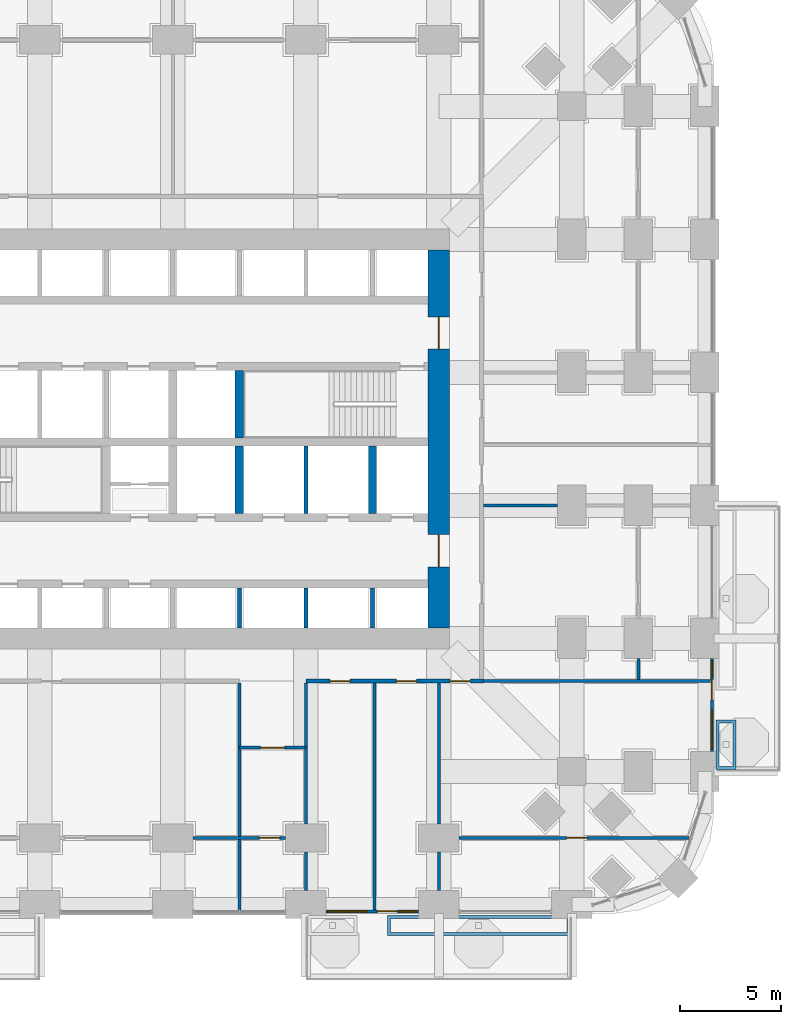
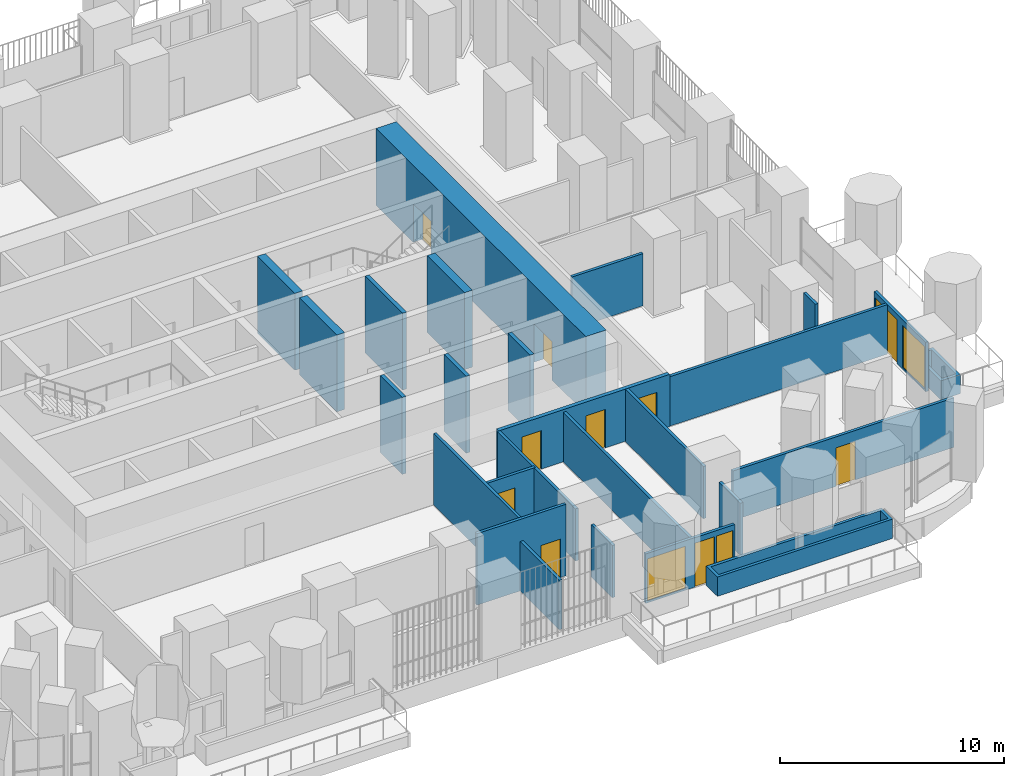
# One storey, part 18 of 25: 26 walls, 10 doors, 4 windows, 14 openings.
"""IFC4 building model written with IfcOpenShell, lengths in metres."""

from ifc_helpers import new_model, si_unit, direction, frame, frame_2d, origin, place, context, subcontext, project, spatial, polyline, rectangle, outline, extrude, material, layer, layer_set, type_object, element, fill, save


model = new_model("IFC4")

# Units and contexts
model_context = context("Model", 3, precision=1e-05, world=origin(), true_north=direction((0.0, 1.0)))
body_context = subcontext(model_context, "Body", "Model", "MODEL_VIEW")
ifc_project = project(units=[si_unit("LENGTHUNIT", "METRE"), si_unit("AREAUNIT", "SQUARE_METRE"), si_unit("VOLUMEUNIT", "CUBIC_METRE"), si_unit("PLANEANGLEUNIT", "RADIAN"), si_unit("MASSUNIT", "GRAM", prefix="KILO")], contexts=[model_context])

# Site, building, storey
site_placement = place(None, origin())
site = spatial("IfcSite", under=ifc_project, at=site_placement, CompositionType="ELEMENT")
building_placement = place(site_placement, origin())
building = spatial("IfcBuilding", under=site, at=building_placement, Name="Cobogo Forest Laboratory Tower", CompositionType="ELEMENT")
storey_placement = place(building_placement, frame((0.0, 0.0, 21.300048828125)))
storey = spatial("IfcBuildingStorey", under=building, at=storey_placement, Name="L04", CompositionType="ELEMENT", Elevation=21.300048828125)

# Walls
ifc_material_1 = material(Name="Concrete HA-50 (C50/60)", Category="concrete")
ifc_layer_1 = layer(ifc_material_1, 0.39990234375)
ifc_layer_set_1 = layer_set([ifc_layer_1], Name="CI400 core inner wall 400")
wall_type_1 = type_object("IfcWallType", Name="CI400 core inner wall 400", PredefinedType="SHEAR", material=ifc_layer_set_1)
for number, where, z_axis, x_axis, name in (
    (1, (29.699951171875, 19.39990234375, 0.0), (0.0, 0.0, 1.0), (0.0, 1.0, 0.0), "Core wall CX-29.7S L04"),
    (2, (36.300048828125, 19.39990234375, 0.0), (0.0, 0.0, 1.0), (0.0, 1.0, 0.0), "Core wall CX-36.3 L04"),
    (3, (29.699951171875, 23.14990234375, 0.0), (0.0, 0.0, 1.0), (0.0, 1.0, 0.0), "Core wall CX-29.7N L04"),
):
    element("IfcWall", number, at=place(storey_placement, frame(where, z_axis=z_axis, x_axis=x_axis)), inside=storey, type_object=wall_type_1, Name=name, PredefinedType="SHEAR", context=body_context, shape_type="SweptSolid", body=[
        extrude(rectangle(XDim=3.35009765625, YDim=0.39990234375, at=frame_2d((1.675048828125, 0.0))), origin(), (0.0, 0.0, 1.0), 4.199951171875),
    ])

# Wall, openings, doors
ifc_layer_2 = layer(ifc_material_1, 1.050048828125)
ifc_layer_set_2 = layer_set([ifc_layer_2], Name="CW1050 core outer wall 1050")
wall_type_2 = type_object("IfcWallType", Name="CW1050 core outer wall 1050", PredefinedType="SHEAR", material=ifc_layer_set_2)
wall_1_placement = place(storey_placement, frame((39.60009765625, 13.72509765625, 0.0), z_axis=(0.0, 0.0, 1.0), x_axis=(0.0, 1.0, 0.0)))
wall_1 = element("IfcWall", 4, at=wall_1_placement, inside=storey, type_object=wall_type_2, Name="Core wall CO-E L04", PredefinedType="SHEAR", context=body_context, shape_type="SweptSolid", body=[
    extrude(rectangle(XDim=18.75, YDim=1.050048828125, at=frame_2d((9.375, 0.0))), origin(), (0.0, 0.0, 1.0), 4.199951171875),
])
opening_1_placement = place(wall_1_placement, frame((3.02490234375, 0.0, 0.0)))
opening_1 = element("IfcOpeningElement", 5, at=opening_1_placement, cuts=wall_1, Name="Opening L04-D20", PredefinedType="OPENING", context=body_context, shape_type="SweptSolid", body=[
    extrude(rectangle(XDim=1.60009765625, YDim=2.10009765625, at=frame_2d((0.800048828125, 1.050048828125))), frame((0.0, 0.534912109375, 0.0), z_axis=(0.0, -1.0, 0.0), x_axis=(1.0, 0.0, 0.0)), (0.0, 0.0, 1.0), 1.070068359375),
])
opening_2_placement = place(wall_1_placement, frame((13.824951171875, 0.0, 0.0)))
opening_2 = element("IfcOpeningElement", 6, at=opening_2_placement, cuts=wall_1, Name="Opening L04-D33", PredefinedType="OPENING", context=body_context, shape_type="SweptSolid", body=[
    extrude(rectangle(XDim=1.60009765625, YDim=2.10009765625, at=frame_2d((0.800048828125, 1.050048828125))), frame((0.0, 0.534912109375, 0.0), z_axis=(0.0, -1.0, 0.0), x_axis=(1.0, 0.0, 0.0)), (0.0, 0.0, 1.0), 1.070068359375),
])
ifc_material_2 = material(Name="Steel fire door", Category="steel")
door_type_1 = type_object("IfcDoorType", Name="DS2 protected lobby door pair 1600 EI2 60", OperationType="DOUBLE_DOOR_DOUBLE_SWING", PredefinedType="DOOR", material=ifc_material_2)
door_1_placement = place(opening_1_placement, origin())
door_1 = element("IfcDoor", 7, at=door_1_placement, inside=storey, type_object=door_type_1, Name="Door L04-CO-E-S", OperationType="DOUBLE_DOOR_DOUBLE_SWING", OverallHeight=2.10009765625, OverallWidth=1.60009765625, PredefinedType="DOOR", context=body_context, shape_type="SweptSolid", body=[
    extrude(rectangle(XDim=1.60009765625, YDim=2.10009765625, at=frame_2d((0.800048828125, 1.050048828125))), frame((0.0, 0.02490234375, 0.0), z_axis=(0.0, -1.0, 0.0), x_axis=(1.0, 0.0, 0.0)), (0.0, 0.0, 1.0), 0.050048828125),
])
fill(opening_1, door_1)
door_2_placement = place(opening_2_placement, origin())
door_2 = element("IfcDoor", 8, at=door_2_placement, inside=storey, type_object=door_type_1, Name="Door L04-CO-E-N", OperationType="DOUBLE_DOOR_DOUBLE_SWING", OverallHeight=2.10009765625, OverallWidth=1.60009765625, PredefinedType="DOOR", context=body_context, shape_type="SweptSolid", body=[
    extrude(rectangle(XDim=1.60009765625, YDim=2.10009765625, at=frame_2d((0.800048828125, 1.050048828125))), frame((0.0, 0.02490234375, 0.0), z_axis=(0.0, -1.0, 0.0), x_axis=(1.0, 0.0, 0.0)), (0.0, 0.0, 1.0), 0.050048828125),
])
fill(opening_2, door_2)

# Wall, openings, door, windows
ifc_material_3 = material(Name="Aluminium framed glazed screen", Category="aluminium")
ifc_layer_3 = layer(ifc_material_3, 0.14990234375)
ifc_layer_set_3 = layer_set([ifc_layer_3], Name="GS1 glazed door screen 150")
wall_type_3 = type_object("IfcWallType", Name="GS1 glazed door screen 150", PredefinedType="SOLIDWALL", material=ifc_layer_set_3)
wall_2_placement = place(storey_placement, frame((34.0, -0.35009765625, 0.0), z_axis=(0.0, 0.0, 1.0), x_axis=(1.0, 0.0, 0.0)))
wall_2 = element("IfcWall", 9, at=wall_2_placement, inside=storey, type_object=wall_type_3, Name="Door screen BAL-S2 L04", PredefinedType="SOLIDWALL", context=body_context, shape_type="SweptSolid", body=[
    extrude(rectangle(XDim=4.60009765625, YDim=0.14990234375, at=frame_2d((2.300048828125, 0.0))), origin(), (0.0, 0.0, 1.0), 2.699951171875),
])
opening_3_placement = place(wall_2_placement, frame((2.550048828125, 0.0, 0.0)))
opening_3 = element("IfcOpeningElement", 10, at=opening_3_placement, cuts=wall_2, Name="Opening L04-D02", PredefinedType="OPENING", context=body_context, shape_type="SweptSolid", body=[
    extrude(rectangle(XDim=1.0, YDim=2.39990234375, at=frame_2d((0.5, 1.199951171875))), frame((0.0, 0.0849609375, 0.0), z_axis=(0.0, -1.0, 0.0), x_axis=(1.0, 0.0, 0.0)), (0.0, 0.0, 1.0), 0.169921875),
])
opening_4_placement = place(wall_2_placement, frame((0.10009765625, 0.0, 0.10009765625)))
opening_4 = element("IfcOpeningElement", 11, at=opening_4_placement, cuts=wall_2, Name="Opening L04-W03", PredefinedType="OPENING", context=body_context, shape_type="SweptSolid", body=[
    extrude(rectangle(XDim=1.949951171875, YDim=2.300048828125, at=frame_2d((0.97509765625, 1.14990234375))), frame((0.0, 0.0849609375, 0.0), z_axis=(0.0, -1.0, 0.0), x_axis=(1.0, 0.0, 0.0)), (0.0, 0.0, 1.0), 0.169921875),
])
opening_5_placement = place(wall_2_placement, frame((3.64990234375, 0.0, 0.10009765625)))
opening_5 = element("IfcOpeningElement", 12, at=opening_5_placement, cuts=wall_2, Name="Opening L04-W04", PredefinedType="OPENING", context=body_context, shape_type="SweptSolid", body=[
    extrude(rectangle(XDim=0.85009765625, YDim=2.300048828125, at=frame_2d((0.425048828125, 1.14990234375))), frame((0.0, 0.0849609375, 0.0), z_axis=(0.0, -1.0, 0.0), x_axis=(1.0, 0.0, 0.0)), (0.0, 0.0, 1.0), 0.169921875),
])
ifc_material_4 = material(Name="Aluminium glazed door", Category="aluminium")
door_type_2 = type_object("IfcDoorType", Name="DB1 balcony door 1000 glazed", OperationType="SINGLE_SWING_LEFT", PredefinedType="DOOR", material=ifc_material_4)
door_3_placement = place(opening_3_placement, origin())
door_3 = element("IfcDoor", 13, at=door_3_placement, inside=storey, type_object=door_type_2, Name="Door L04-BAL-S2", OperationType="SINGLE_SWING_RIGHT", OverallHeight=2.39990234375, OverallWidth=1.0, PredefinedType="DOOR", context=body_context, shape_type="SweptSolid", body=[
    extrude(rectangle(XDim=1.0, YDim=2.39990234375, at=frame_2d((0.5, 1.199951171875))), frame((0.0, 0.02490234375, 0.0), z_axis=(0.0, -1.0, 0.0), x_axis=(1.0, 0.0, 0.0)), (0.0, 0.0, 1.0), 0.050048828125),
])
fill(opening_3, door_3)
ifc_material_5 = material(Name="Aluminium framed glazing", Category="aluminium")
window_type_1 = type_object("IfcWindowType", Name="WG1 fixed glazed light 1950x2300", PartitioningType="SINGLE_PANEL", PredefinedType="WINDOW", material=ifc_material_5)
window_1_placement = place(opening_4_placement, origin())
window_1 = element("IfcWindow", 14, at=window_1_placement, inside=storey, type_object=window_type_1, Name="Window L04-BAL-S2-1", OverallHeight=2.300048828125, OverallWidth=1.949951171875, PartitioningType="SINGLE_PANEL", PredefinedType="WINDOW", context=body_context, shape_type="SweptSolid", body=[
    extrude(rectangle(XDim=1.949951171875, YDim=2.300048828125, at=frame_2d((0.97509765625, 1.14990234375))), frame((0.0, 0.030029296875, 0.0), z_axis=(0.0, -1.0, 0.0), x_axis=(1.0, 0.0, 0.0)), (0.0, 0.0, 1.0), 0.06005859375),
])
fill(opening_4, window_1)
window_type_2 = type_object("IfcWindowType", Name="WG2 fixed glazed light 850x2300", PartitioningType="SINGLE_PANEL", PredefinedType="WINDOW", material=ifc_material_5)
window_2_placement = place(opening_5_placement, origin())
window_2 = element("IfcWindow", 15, at=window_2_placement, inside=storey, type_object=window_type_2, Name="Window L04-BAL-S2-2", OverallHeight=2.300048828125, OverallWidth=0.85009765625, PartitioningType="SINGLE_PANEL", PredefinedType="WINDOW", context=body_context, shape_type="SweptSolid", body=[
    extrude(rectangle(XDim=0.85009765625, YDim=2.300048828125, at=frame_2d((0.425048828125, 1.14990234375))), frame((0.0, 0.030029296875, 0.0), z_axis=(0.0, -1.0, 0.0), x_axis=(1.0, 0.0, 0.0)), (0.0, 0.0, 1.0), 0.06005859375),
])
fill(opening_5, window_2)

wall_3_placement = place(storey_placement, frame((53.14990234375, 7.60009765625, 0.0), z_axis=(0.0, 0.0, 1.0), x_axis=(0.0, 1.0, 0.0)))
wall_3 = element("IfcWall", 16, at=wall_3_placement, inside=storey, type_object=wall_type_3, Name="Door screen BAL-E1 L04", PredefinedType="SOLIDWALL", context=body_context, shape_type="SweptSolid", body=[
    extrude(rectangle(XDim=4.599853515625, YDim=0.14990234375, at=frame_2d((2.2998046875, 0.0))), origin(), (0.0, 0.0, 1.0), 2.699951171875),
])
opening_6_placement = place(wall_3_placement, frame((2.550048828125, 0.0, 0.0)))
opening_6 = element("IfcOpeningElement", 17, at=opening_6_placement, cuts=wall_3, Name="Opening L04-D09", PredefinedType="OPENING", context=body_context, shape_type="SweptSolid", body=[
    extrude(rectangle(XDim=1.0, YDim=2.39990234375, at=frame_2d((0.5, 1.199951171875))), frame((0.0, 0.0849609375, 0.0), z_axis=(0.0, -1.0, 0.0), x_axis=(1.0, 0.0, 0.0)), (0.0, 0.0, 1.0), 0.169921875),
])
opening_7_placement = place(wall_3_placement, frame((0.10009765625, 0.0, 0.10009765625)))
opening_7 = element("IfcOpeningElement", 18, at=opening_7_placement, cuts=wall_3, Name="Opening L04-W06", PredefinedType="OPENING", context=body_context, shape_type="SweptSolid", body=[
    extrude(rectangle(XDim=1.949951171875, YDim=2.300048828125, at=frame_2d((0.97509765625, 1.14990234375))), frame((0.0, 0.0849609375, 0.0), z_axis=(0.0, -1.0, 0.0), x_axis=(1.0, 0.0, 0.0)), (0.0, 0.0, 1.0), 0.169921875),
])
opening_8_placement = place(wall_3_placement, frame((3.64990234375, 0.0, 0.10009765625)))
opening_8 = element("IfcOpeningElement", 19, at=opening_8_placement, cuts=wall_3, Name="Opening L04-W08", PredefinedType="OPENING", context=body_context, shape_type="SweptSolid", body=[
    extrude(rectangle(XDim=0.85009765625, YDim=2.300048828125, at=frame_2d((0.425048828125, 1.14990234375))), frame((0.0, 0.0849609375, 0.0), z_axis=(0.0, -1.0, 0.0), x_axis=(1.0, 0.0, 0.0)), (0.0, 0.0, 1.0), 0.169921875),
])
door_4_placement = place(opening_6_placement, origin())
door_4 = element("IfcDoor", 20, at=door_4_placement, inside=storey, type_object=door_type_2, Name="Door L04-BAL-E1", OperationType="SINGLE_SWING_RIGHT", OverallHeight=2.39990234375, OverallWidth=1.0, PredefinedType="DOOR", context=body_context, shape_type="SweptSolid", body=[
    extrude(rectangle(XDim=1.0, YDim=2.39990234375, at=frame_2d((0.5, 1.199951171875))), frame((0.0, 0.02490234375, 0.0), z_axis=(0.0, -1.0, 0.0), x_axis=(1.0, 0.0, 0.0)), (0.0, 0.0, 1.0), 0.050048828125),
])
fill(opening_6, door_4)
window_3_placement = place(opening_7_placement, origin())
window_3 = element("IfcWindow", 21, at=window_3_placement, inside=storey, type_object=window_type_1, Name="Window L04-BAL-E1-1", OverallHeight=2.300048828125, OverallWidth=1.949951171875, PartitioningType="SINGLE_PANEL", PredefinedType="WINDOW", context=body_context, shape_type="SweptSolid", body=[
    extrude(rectangle(XDim=1.949951171875, YDim=2.300048828125, at=frame_2d((0.97509765625, 1.14990234375))), frame((0.0, 0.030029296875, 0.0), z_axis=(0.0, -1.0, 0.0), x_axis=(1.0, 0.0, 0.0)), (0.0, 0.0, 1.0), 0.06005859375),
])
fill(opening_7, window_3)
window_4_placement = place(opening_8_placement, origin())
window_4 = element("IfcWindow", 22, at=window_4_placement, inside=storey, type_object=window_type_2, Name="Window L04-BAL-E1-2", OverallHeight=2.300048828125, OverallWidth=0.85009765625, PartitioningType="SINGLE_PANEL", PredefinedType="WINDOW", context=body_context, shape_type="SweptSolid", body=[
    extrude(rectangle(XDim=0.85009765625, YDim=2.300048828125, at=frame_2d((0.425048828125, 1.14990234375))), frame((0.0, 0.030029296875, 0.0), z_axis=(0.0, -1.0, 0.0), x_axis=(1.0, 0.0, 0.0)), (0.0, 0.0, 1.0), 0.06005859375),
])
fill(opening_8, window_4)

# Wall
ifc_material_6 = material(Name="Gypsum board on steel studs", Category="steel")
ifc_layer_4 = layer(ifc_material_6, 0.14990234375)
ifc_layer_set_4 = layer_set([ifc_layer_4], Name="PT1 laboratory partition 150")
wall_type_4 = type_object("IfcWallType", Name="PT1 laboratory partition 150", PredefinedType="PARTITIONING", material=ifc_layer_set_4)
wall_4_placement = place(storey_placement, frame((53.070068359375, 11.074951171875, 0.0), z_axis=(0.0, 0.0, 1.0), x_axis=(-1.0, 0.0, 0.0)))
element("IfcWall", 23, at=wall_4_placement, inside=storey, type_object=wall_type_4, Name="Partition PW-SE L04", PredefinedType="PARTITIONING", context=body_context, shape_type="SweptSolid", body=[
    extrude(rectangle(XDim=11.2451171875, YDim=0.14990234375, at=frame_2d((5.62255859375, 0.0))), origin(), (0.0, 0.0, 1.0), 2.699951171875),
])

# Wall, opening, door
wall_5_placement = place(storey_placement, frame((27.39990234375, 3.300048828125, 0.0), z_axis=(0.0, 0.0, 1.0), x_axis=(1.0, 0.0, 0.0)))
wall_5 = element("IfcWall", 24, at=wall_5_placement, inside=storey, type_object=wall_type_4, Name="Partition STRIP-S-4 L04", PredefinedType="PARTITIONING", context=body_context, shape_type="SweptSolid", body=[
    extrude(rectangle(XDim=4.60009765625, YDim=0.14990234375, at=frame_2d((2.300048828125, 0.0))), origin(), (0.0, 0.0, 1.0), 3.89990234375),
])
opening_9_placement = place(wall_5_placement, frame((3.300048828125, 0.0, 0.0)))
opening_9 = element("IfcOpeningElement", 25, at=opening_9_placement, cuts=wall_5, Name="Opening L04-D04", PredefinedType="OPENING", context=body_context, shape_type="SweptSolid", body=[
    extrude(rectangle(XDim=1.0, YDim=2.10009765625, at=frame_2d((0.5, 1.050048828125))), frame((0.0, 0.0849609375, 0.0), z_axis=(0.0, -1.0, 0.0), x_axis=(1.0, 0.0, 0.0)), (0.0, 0.0, 1.0), 0.169921875),
])
ifc_material_7 = material(Name="Timber fire door", Category="wood")
door_type_3 = type_object("IfcDoorType", Name="FD2 fire door 1000 EI2 30", OperationType="SINGLE_SWING_LEFT", PredefinedType="DOOR", material=ifc_material_7)
door_5_placement = place(opening_9_placement, origin())
door_5 = element("IfcDoor", 26, at=door_5_placement, inside=storey, type_object=door_type_3, Name="Door L04-S2W", OperationType="SINGLE_SWING_RIGHT", OverallHeight=2.10009765625, OverallWidth=1.0, PredefinedType="DOOR", context=body_context, shape_type="SweptSolid", body=[
    extrude(rectangle(XDim=1.0, YDim=2.10009765625, at=frame_2d((0.5, 1.050048828125))), frame((0.0, 0.02490234375, 0.0), z_axis=(0.0, -1.0, 0.0), x_axis=(1.0, 0.0, 0.0)), (0.0, 0.0, 1.0), 0.050048828125),
])
fill(opening_9, door_5)

wall_6_placement = place(storey_placement, frame((40.60009765625, 3.300048828125, 0.0), z_axis=(0.0, 0.0, 1.0), x_axis=(1.0, 0.0, 0.0)))
wall_6 = element("IfcWall", 27, at=wall_6_placement, inside=storey, type_object=wall_type_4, Name="Partition STRIP-S-5 L04", PredefinedType="PARTITIONING", context=body_context, shape_type="SweptSolid", body=[
    extrude(rectangle(XDim=11.423828125, YDim=0.14990234375, at=frame_2d((5.7119140625, 0.0))), origin(), (0.0, 0.0, 1.0), 2.699951171875),
])
opening_10_placement = place(wall_6_placement, frame((5.342041015625, 0.0, 0.0)))
opening_10 = element("IfcOpeningElement", 28, at=opening_10_placement, cuts=wall_6, Name="Opening L04-D05", PredefinedType="OPENING", context=body_context, shape_type="SweptSolid", body=[
    extrude(rectangle(XDim=1.0, YDim=2.10009765625, at=frame_2d((0.5, 1.050048828125))), frame((0.0, 0.0849609375, 0.0), z_axis=(0.0, -1.0, 0.0), x_axis=(1.0, 0.0, 0.0)), (0.0, 0.0, 1.0), 0.169921875),
])
door_6_placement = place(opening_10_placement, origin())
door_6 = element("IfcDoor", 29, at=door_6_placement, inside=storey, type_object=door_type_3, Name="Door L04-S3W", OperationType="SINGLE_SWING_RIGHT", OverallHeight=2.10009765625, OverallWidth=1.0, PredefinedType="DOOR", context=body_context, shape_type="SweptSolid", body=[
    extrude(rectangle(XDim=1.0, YDim=2.10009765625, at=frame_2d((0.5, 1.050048828125))), frame((0.0, 0.02490234375, 0.0), z_axis=(0.0, -1.0, 0.0), x_axis=(1.0, 0.0, 0.0)), (0.0, 0.0, 1.0), 0.050048828125),
])
fill(opening_10, door_6)

wall_7_placement = place(storey_placement, frame((29.699951171875, 7.77490234375, 0.0), z_axis=(0.0, 0.0, 1.0), x_axis=(1.0, 0.0, 0.0)))
wall_7 = element("IfcWall", 30, at=wall_7_placement, inside=storey, type_object=wall_type_4, Name="Partition NODE-S-1 L04", PredefinedType="PARTITIONING", context=body_context, shape_type="SweptSolid", body=[
    extrude(rectangle(XDim=3.300048828125, YDim=0.14990234375, at=frame_2d((1.64990234375, 0.0))), origin(), (0.0, 0.0, 1.0), 2.849853515625),
])
opening_11_placement = place(wall_7_placement, frame((1.050048828125, 0.0, 0.0)))
opening_11 = element("IfcOpeningElement", 31, at=opening_11_placement, cuts=wall_7, Name="Opening L04-D06", PredefinedType="OPENING", context=body_context, shape_type="SweptSolid", body=[
    extrude(rectangle(XDim=1.199951171875, YDim=2.10009765625, at=frame_2d((0.60009765625, 1.050048828125))), frame((0.0, 0.0849609375, 0.0), z_axis=(0.0, -1.0, 0.0), x_axis=(1.0, 0.0, 0.0)), (0.0, 0.0, 1.0), 0.169921875),
])
ifc_material_8 = material(Name="Timber door", Category="wood")
door_type_4 = type_object("IfcDoorType", Name="D2 laboratory door 1200 unequal pair", OperationType="DOUBLE_DOOR_SINGLE_SWING", PredefinedType="DOOR", material=ifc_material_8)
door_7_placement = place(opening_11_placement, origin())
door_7 = element("IfcDoor", 32, at=door_7_placement, inside=storey, type_object=door_type_4, Name="Door L04-S2", OperationType="DOUBLE_DOOR_SINGLE_SWING", OverallHeight=2.10009765625, OverallWidth=1.199951171875, PredefinedType="DOOR", context=body_context, shape_type="SweptSolid", body=[
    extrude(rectangle(XDim=1.199951171875, YDim=2.10009765625, at=frame_2d((0.60009765625, 1.050048828125))), frame((0.0, 0.02490234375, 0.0), z_axis=(0.0, -1.0, 0.0), x_axis=(1.0, 0.0, 0.0)), (0.0, 0.0, 1.0), 0.050048828125),
])
fill(opening_11, door_7)

# Walls
wall_8_placement = place(storey_placement, frame((36.39990234375, -0.27001953125, 0.0), z_axis=(0.0, 0.0, 1.0), x_axis=(0.0, 1.0, 0.0)))
element("IfcWall", 33, at=wall_8_placement, inside=storey, type_object=wall_type_4, Name="Partition SVC-S1-1 L04", PredefinedType="PARTITIONING", context=body_context, shape_type="SweptSolid", body=[
    extrude(rectangle(XDim=11.2451171875, YDim=0.14990234375, at=frame_2d((5.62255859375, 0.0))), origin(), (0.0, 0.0, 1.0), 2.699951171875),
])
wall_9_placement = place(storey_placement, frame((39.60009765625, 0.699951171875, 0.0), z_axis=(0.0, 0.0, 1.0), x_axis=(0.0, 1.0, 0.0)))
element("IfcWall", 34, at=wall_9_placement, inside=storey, type_object=wall_type_4, Name="Partition SVC-S2-1 L04", PredefinedType="PARTITIONING", context=body_context, shape_type="SweptSolid", body=[
    extrude(rectangle(XDim=1.900146484375, YDim=0.14990234375, at=frame_2d((0.9501953125, 0.0))), origin(), (0.0, 0.0, 1.0), 2.849853515625),
])
wall_10_placement = place(storey_placement, frame((39.60009765625, 4.0, 0.0), z_axis=(0.0, 0.0, 1.0), x_axis=(0.0, 1.0, 0.0)))
element("IfcWall", 35, at=wall_10_placement, inside=storey, type_object=wall_type_4, Name="Partition SVC-S2-2 L04", PredefinedType="PARTITIONING", context=body_context, shape_type="SweptSolid", body=[
    extrude(rectangle(XDim=6.97509765625, YDim=0.14990234375, at=frame_2d((3.487548828125, 0.0))), origin(), (0.0, 0.0, 1.0), 2.849853515625),
])
wall_11_placement = place(storey_placement, frame((29.699951171875, -0.27001953125, 0.0), z_axis=(0.0, 0.0, 1.0), x_axis=(0.0, 1.0, 0.0)))
element("IfcWall", 36, at=wall_11_placement, inside=storey, type_object=wall_type_4, Name="Partition CUT-S29.7a-1 L04", PredefinedType="PARTITIONING", context=body_context, shape_type="SweptSolid", body=[
    extrude(rectangle(XDim=3.4951171875, YDim=0.14990234375, at=frame_2d((1.74755859375, 0.0))), origin(), (0.0, 0.0, 1.0), 2.699951171875),
])
wall_12_placement = place(storey_placement, frame((29.699951171875, 3.375, 0.0), z_axis=(0.0, 0.0, 1.0), x_axis=(0.0, 1.0, 0.0)))
element("IfcWall", 37, at=wall_12_placement, inside=storey, type_object=wall_type_4, Name="Partition CUT-S29.7b-1 L04", PredefinedType="PARTITIONING", context=body_context, shape_type="SweptSolid", body=[
    extrude(rectangle(XDim=7.60009765625, YDim=0.14990234375, at=frame_2d((3.800048828125, 0.0))), origin(), (0.0, 0.0, 1.0), 3.89990234375),
])
wall_13_placement = place(storey_placement, frame((33.0, 0.699951171875, 0.0), z_axis=(0.0, 0.0, 1.0), x_axis=(0.0, 1.0, 0.0)))
element("IfcWall", 38, at=wall_13_placement, inside=storey, type_object=wall_type_4, Name="Partition CUT-S33-1 L04", PredefinedType="PARTITIONING", context=body_context, shape_type="SweptSolid", body=[
    extrude(rectangle(XDim=1.900146484375, YDim=0.14990234375, at=frame_2d((0.9501953125, 0.0))), origin(), (0.0, 0.0, 1.0), 2.849853515625),
])
wall_14_placement = place(storey_placement, frame((33.0, 4.0, 0.0), z_axis=(0.0, 0.0, 1.0), x_axis=(0.0, 1.0, 0.0)))
element("IfcWall", 39, at=wall_14_placement, inside=storey, type_object=wall_type_4, Name="Partition CUT-S33-2 L04", PredefinedType="PARTITIONING", context=body_context, shape_type="SweptSolid", body=[
    extrude(rectangle(XDim=6.97509765625, YDim=0.14990234375, at=frame_2d((3.487548828125, 0.0))), origin(), (0.0, 0.0, 1.0), 2.849853515625),
])
wall_15_placement = place(storey_placement, frame((49.5, 11.14990234375, 0.0), z_axis=(0.0, 0.0, 1.0), x_axis=(0.0, 1.0, 0.0)))
element("IfcWall", 40, at=wall_15_placement, inside=storey, type_object=wall_type_4, Name="Partition STRIP-E-1 L04", PredefinedType="PARTITIONING", context=body_context, shape_type="SweptSolid", body=[
    extrude(rectangle(XDim=1.050048828125, YDim=0.14990234375, at=frame_2d((0.52490234375, 0.0))), origin(), (0.0, 0.0, 1.0), 3.89990234375),
])
wall_16_placement = place(storey_placement, frame((45.5, 19.800048828125, 0.0), z_axis=(0.0, 0.0, 1.0), x_axis=(-1.0, 0.0, 0.0)))
element("IfcWall", 41, at=wall_16_placement, inside=storey, type_object=wall_type_4, Name="Partition CUT-E19.8-3 L04", PredefinedType="PARTITIONING", context=body_context, shape_type="SweptSolid", body=[
    extrude(rectangle(XDim=3.675048828125, YDim=0.14990234375, at=frame_2d((1.83740234375, 0.0))), origin(), (0.0, 0.0, 1.0), 2.849853515625),
])

# Wall, openings, doors
ifc_layer_5 = layer(ifc_material_6, 0.199951171875)
ifc_layer_set_5 = layer_set([ifc_layer_5], Name="PT2 fire-rated corridor partition 200")
wall_type_5 = type_object("IfcWallType", Name="PT2 fire-rated corridor partition 200", PredefinedType="PARTITIONING", material=ifc_layer_set_5)
wall_17_placement = place(storey_placement, frame((33.0, 11.074951171875, 0.0), z_axis=(0.0, 0.0, 1.0), x_axis=(1.0, 0.0, 0.0)))
wall_17 = element("IfcWall", 42, at=wall_17_placement, inside=storey, type_object=wall_type_5, Name="Partition CORR-S-2 L04", PredefinedType="PARTITIONING", context=body_context, shape_type="SweptSolid", body=[
    extrude(rectangle(XDim=8.824951171875, YDim=0.199951171875, at=frame_2d((4.41259765625, 0.0))), origin(), (0.0, 0.0, 1.0), 2.849853515625),
])
opening_12_placement = place(wall_17_placement, frame((1.199951171875, 0.0, 0.0)))
opening_12 = element("IfcOpeningElement", 43, at=opening_12_placement, cuts=wall_17, Name="Opening L04-D11", PredefinedType="OPENING", context=body_context, shape_type="SweptSolid", body=[
    extrude(rectangle(XDim=1.0, YDim=2.10009765625, at=frame_2d((0.5, 1.050048828125))), frame((0.0, 0.10986328125, 0.0), z_axis=(0.0, -1.0, 0.0), x_axis=(1.0, 0.0, 0.0)), (0.0, 0.0, 1.0), 0.219970703125),
])
opening_13_placement = place(wall_17_placement, frame((4.5, 0.0, 0.0)))
opening_13 = element("IfcOpeningElement", 44, at=opening_13_placement, cuts=wall_17, Name="Opening L04-D12", PredefinedType="OPENING", context=body_context, shape_type="SweptSolid", body=[
    extrude(rectangle(XDim=1.0, YDim=2.10009765625, at=frame_2d((0.5, 1.050048828125))), frame((0.0, 0.10986328125, 0.0), z_axis=(0.0, -1.0, 0.0), x_axis=(1.0, 0.0, 0.0)), (0.0, 0.0, 1.0), 0.219970703125),
])
opening_14_placement = place(wall_17_placement, frame((7.16259765625, 0.0, 0.0)))
opening_14 = element("IfcOpeningElement", 45, at=opening_14_placement, cuts=wall_17, Name="Opening L04-D13", PredefinedType="OPENING", context=body_context, shape_type="SweptSolid", body=[
    extrude(rectangle(XDim=1.0, YDim=2.10009765625, at=frame_2d((0.5, 1.050048828125))), frame((0.0, 0.10986328125, 0.0), z_axis=(0.0, -1.0, 0.0), x_axis=(1.0, 0.0, 0.0)), (0.0, 0.0, 1.0), 0.219970703125),
])
door_8_placement = place(opening_12_placement, origin())
door_8 = element("IfcDoor", 46, at=door_8_placement, inside=storey, type_object=door_type_3, Name="Door L04-MTG", OperationType="SINGLE_SWING_LEFT", OverallHeight=2.10009765625, OverallWidth=1.0, PredefinedType="DOOR", context=body_context, shape_type="SweptSolid", body=[
    extrude(rectangle(XDim=1.0, YDim=2.10009765625, at=frame_2d((0.5, 1.050048828125))), frame((0.0, 0.02490234375, 0.0), z_axis=(0.0, -1.0, 0.0), x_axis=(1.0, 0.0, 0.0)), (0.0, 0.0, 1.0), 0.050048828125),
])
fill(opening_12, door_8)
door_9_placement = place(opening_13_placement, origin())
door_9 = element("IfcDoor", 47, at=door_9_placement, inside=storey, type_object=door_type_3, Name="Door L04-PAN", OperationType="SINGLE_SWING_RIGHT", OverallHeight=2.10009765625, OverallWidth=1.0, PredefinedType="DOOR", context=body_context, shape_type="SweptSolid", body=[
    extrude(rectangle(XDim=1.0, YDim=2.10009765625, at=frame_2d((0.5, 1.050048828125))), frame((0.0, 0.02490234375, 0.0), z_axis=(0.0, -1.0, 0.0), x_axis=(1.0, 0.0, 0.0)), (0.0, 0.0, 1.0), 0.050048828125),
])
fill(opening_13, door_9)
door_10_placement = place(opening_14_placement, origin())
door_10 = element("IfcDoor", 48, at=door_10_placement, inside=storey, type_object=door_type_3, Name="Door L04-S3", OperationType="SINGLE_SWING_RIGHT", OverallHeight=2.10009765625, OverallWidth=1.0, PredefinedType="DOOR", context=body_context, shape_type="SweptSolid", body=[
    extrude(rectangle(XDim=1.0, YDim=2.10009765625, at=frame_2d((0.5, 1.050048828125))), frame((0.0, 0.02490234375, 0.0), z_axis=(0.0, -1.0, 0.0), x_axis=(1.0, 0.0, 0.0)), (0.0, 0.0, 1.0), 0.050048828125),
])
fill(opening_14, door_10)

# Walls
ifc_material_9 = material(Name="Concrete HA-40 (C40/50)", Category="concrete")
ifc_layer_6 = layer(ifc_material_9, 0.14990234375)
ifc_layer_set_6 = layer_set([ifc_layer_6], Name="Planter box 1000x1050")
wall_type_6 = type_object("IfcWallType", Name="Planter box 1000x1050", PredefinedType="USERDEFINED", material=ifc_layer_set_6)
wall_18_placement = place(storey_placement, origin())
element("IfcWall", 49, at=wall_18_placement, inside=storey, type_object=wall_type_6, Name="Planter BAL-S2-2 L04", ObjectType="PLANTER", PredefinedType="USERDEFINED", context=body_context, shape_type="SweptSolid", body=[
    extrude(outline(polyline([(37.050048828125, -1.550048828125), (46.10009765625, -1.550048828125), (46.10009765625, -0.550048828125), (37.050048828125, -0.550048828125), (37.050048828125, -1.550048828125)]), holes=[polyline([(37.199951171875, -1.39990234375), (45.949951171875, -1.39990234375), (45.949951171875, -0.699951171875), (37.199951171875, -0.699951171875), (37.199951171875, -1.39990234375)])]), origin(), (0.0, 0.0, 1.0), 1.050048828125),
])
wall_19_placement = place(storey_placement, origin())
element("IfcWall", 50, at=wall_19_placement, inside=storey, type_object=wall_type_6, Name="Planter BAL-E1-1 L04", ObjectType="PLANTER", PredefinedType="USERDEFINED", context=body_context, shape_type="SweptSolid", body=[
    extrude(outline(polyline([(53.35009765625, 6.699951171875), (54.35009765625, 6.699951171875), (54.35009765625, 9.14990234375), (53.35009765625, 9.14990234375), (53.35009765625, 6.699951171875)]), holes=[polyline([(53.5, 6.85009765625), (54.199951171875, 6.85009765625), (54.199951171875, 9.0), (53.5, 9.0), (53.5, 6.85009765625)])]), origin(), (0.0, 0.0, 1.0), 1.050048828125),
])
ifc_material_10 = material(Name="Concrete block", Category="concrete")
ifc_layer_7 = layer(ifc_material_10, 0.199951171875)
ifc_layer_set_7 = layer_set([ifc_layer_7], Name="SW200 lift shaft separator 200")
wall_type_7 = type_object("IfcWallType", Name="SW200 lift shaft separator 200", PredefinedType="PARTITIONING", material=ifc_layer_set_7)
for number, where, z_axis, x_axis, name in (
    (51, (29.699951171875, 13.72509765625, 0.0), (0.0, 0.0, 1.0), (0.0, 1.0, 0.0), "Core wall SEP-S5 L04"),
    (52, (33.0, 13.72509765625, 0.0), (0.0, 0.0, 1.0), (0.0, 1.0, 0.0), "Core wall SEP-S6 L04"),
    (53, (36.300048828125, 13.72509765625, 0.0), (0.0, 0.0, 1.0), (0.0, 1.0, 0.0), "Core wall SEP-S7 L04"),
):
    element("IfcWall", number, at=place(storey_placement, frame(where, z_axis=z_axis, x_axis=x_axis)), inside=storey, type_object=wall_type_7, Name=name, PredefinedType="PARTITIONING", context=body_context, shape_type="SweptSolid", body=[
        extrude(rectangle(XDim=1.974853515625, YDim=0.199951171875, at=frame_2d((0.9873046875, 0.0))), origin(), (0.0, 0.0, 1.0), 4.199951171875),
    ])
wall_20_placement = place(storey_placement, frame((33.0, 19.39990234375, 0.0), z_axis=(0.0, 0.0, 1.0), x_axis=(0.0, 1.0, 0.0)))
element("IfcWall", 54, at=wall_20_placement, inside=storey, type_object=wall_type_7, Name="Core wall SEP-M33.0 L04", PredefinedType="PARTITIONING", context=body_context, shape_type="SweptSolid", body=[
    extrude(rectangle(XDim=3.35009765625, YDim=0.199951171875, at=frame_2d((1.675048828125, 0.0))), origin(), (0.0, 0.0, 1.0), 4.199951171875),
])

save(model, "model.ifc")
